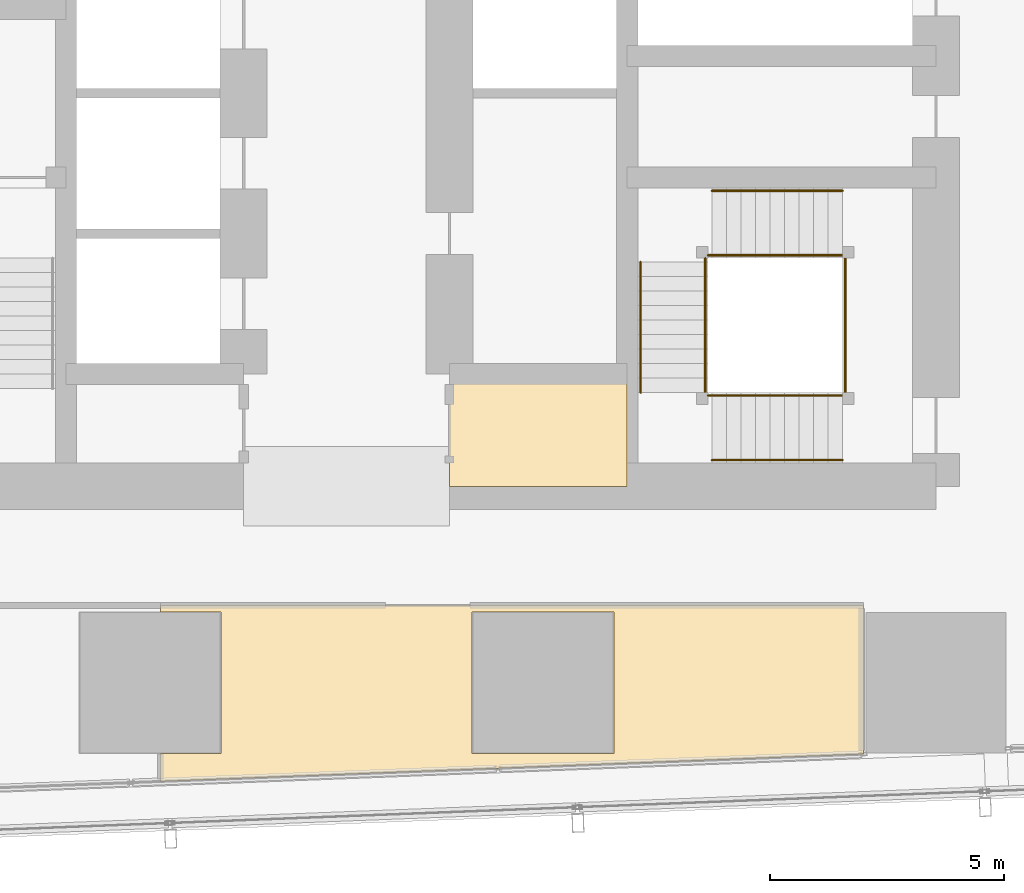
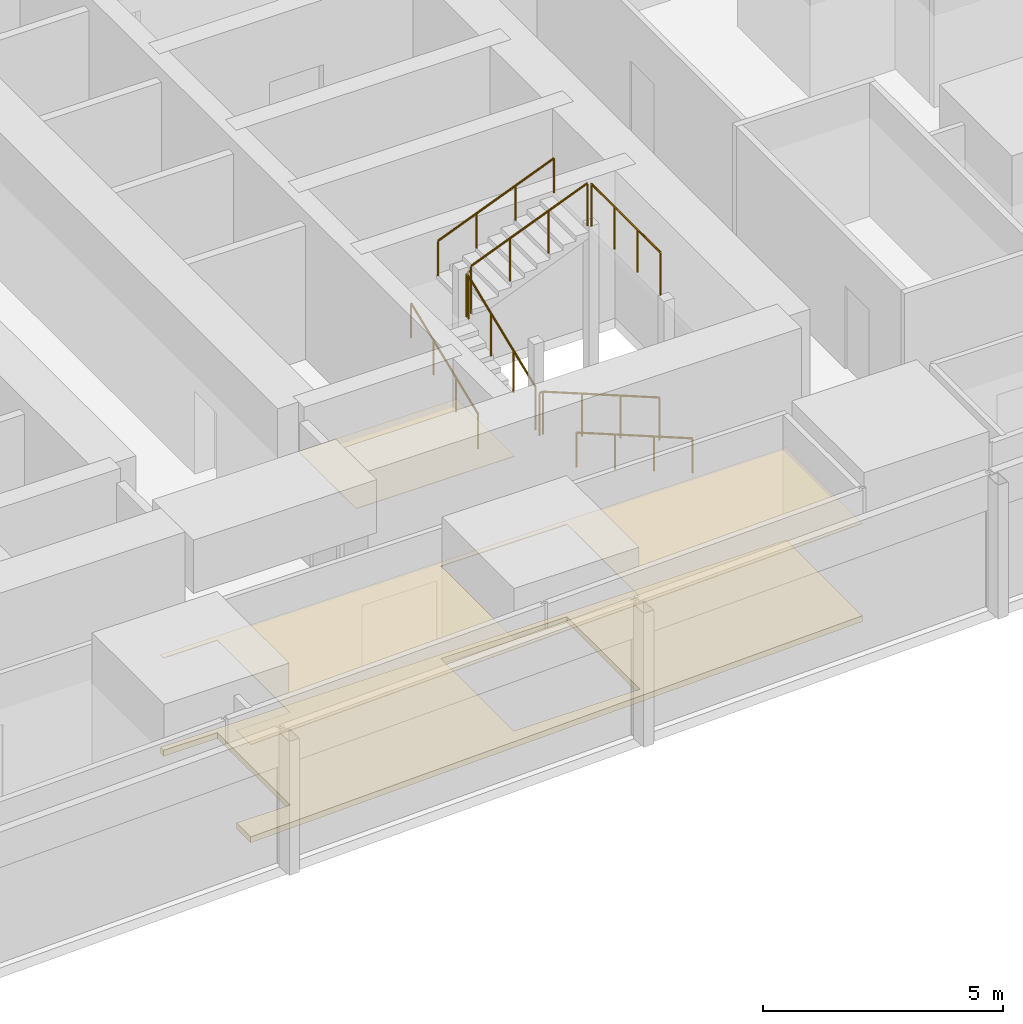
# One storey, part 35 of 38: 10 railings, 3 coverings.
"""IFC4 building model written with IfcOpenShell, lengths in metres."""

from ifc_helpers import new_model, si_unit, direction, frame, origin, origin_2d, place, context, subcontext, project, spatial, polyline, circle, outline, extrude, material, layer, layer_set, type_object, element, save


model = new_model("IFC4")

# Units and contexts
model_context = context("Model", 3, precision=1e-05, world=origin(), true_north=direction((0.0, 1.0)))
body_context = subcontext(model_context, "Body", "Model", "MODEL_VIEW")
ifc_project = project(units=[si_unit("LENGTHUNIT", "METRE"), si_unit("AREAUNIT", "SQUARE_METRE"), si_unit("VOLUMEUNIT", "CUBIC_METRE"), si_unit("PLANEANGLEUNIT", "RADIAN"), si_unit("MASSUNIT", "GRAM", prefix="KILO")], contexts=[model_context])

# Site, building, storey
site_placement = place(None, origin())
site = spatial("IfcSite", under=ifc_project, at=site_placement, CompositionType="ELEMENT")
building_placement = place(site_placement, origin())
building = spatial("IfcBuilding", under=site, at=building_placement, Name="Rekha Terrace Tower", CompositionType="ELEMENT")
storey_placement = place(building_placement, frame((0.0, 0.0, 159.050048828125)))
storey = spatial("IfcBuildingStorey", under=building, at=storey_placement, Name="L40", CompositionType="ELEMENT", Elevation=159.050048828125)

# Coverings
ifc_material_1 = material(Name="Mineral fibre tile in exposed grid", Category="finish")
ifc_layer_1 = layer(ifc_material_1, 0.02001953125)
ifc_layer_set_1 = layer_set([ifc_layer_1], Name="Mineral fibre tile in exposed grid")
covering_type_1 = type_object("IfcCoveringType", Name="CL1 600x1200 office grid ceiling", PredefinedType="CEILING", material=ifc_layer_set_1)
covering_1_placement = place(storey_placement, frame((0.0, 0.0, 2.47998046875)))
element("IfcCovering", 1, at=covering_1_placement, inside=storey, type_object=covering_type_1, Name="Ceiling L40-17", PredefinedType="CEILING", context=body_context, shape_type="SweptSolid", body=[
    extrude(outline(polyline([(35.114990234375, 15.284912109375), (33.825927734375, 15.284912109375), (33.825927734375, 14.69189453125), (40.39990234375, 14.947998046875), (48.847900390625, 15.277099609375), (48.847900390625, 18.449951171875), (33.825927734375, 18.449951171875), (33.825927734375, 18.31494140625), (35.114990234375, 18.31494140625), (35.114990234375, 15.284912109375)]), holes=[polyline([(43.514892578125, 18.31494140625), (43.514892578125, 15.284912109375), (40.485107421875, 15.284912109375), (40.485107421875, 18.31494140625), (43.514892578125, 18.31494140625)])]), origin(), (0.0, 0.0, 1.0), 0.02001953125),
])
ifc_material_2 = material(Name="Fibre cement board", Category="finish")
ifc_layer_2 = layer(ifc_material_2, 0.014892578125)
ifc_layer_set_2 = layer_set([ifc_layer_2], Name="Fibre cement board")
covering_type_2 = type_object("IfcCoveringType", Name="CL2 moisture-resistant board ceiling", PredefinedType="CEILING", material=ifc_layer_set_2)
covering_2_placement = place(storey_placement, frame((0.0, 0.0, 2.48486328125)))
element("IfcCovering", 2, at=covering_2_placement, inside=storey, type_object=covering_type_2, Name="Ceiling L40-WCA", PredefinedType="CEILING", context=body_context, shape_type="SweptSolid", body=[
    extrude(outline(polyline([(43.800048828125, 23.39990234375), (40.0, 23.39990234375), (40.0, 21.0), (43.800048828125, 21.0), (43.800048828125, 23.39990234375)])), origin(), (0.0, 0.0, 1.0), 0.01513671875),
])

# Railings
ifc_material_3 = material(Name="Stainless steel balustrade", Category="steel")
railing_type_1 = type_object("IfcRailingType", Name="GR1 1100 stair guard", PredefinedType="GUARDRAIL", material=ifc_material_3)
railing_1_placement = place(storey_placement, frame((48.39990234375, 22.93994140625, 0.125)))
element("IfcRailing", 3, at=railing_1_placement, inside=storey, type_object=railing_type_1, Name="Guard ST3 L40 flight 1", PredefinedType="GUARDRAIL", context=body_context, shape_type="SweptSolid", body=[
    extrude(circle(Radius=0.02392578125, at=origin_2d()), frame((0.0, 0.0, 1.076171875), z_axis=(-0.927431937212, 0.0, 0.373991980981), x_axis=(0.0, -1.0, 0.0)), (0.0, 0.0, 1.0), 3.008056640625),
    extrude(circle(Radius=0.02099609375, at=origin_2d()), origin(), (0.0, 0.0, 1.0), 1.052001953125),
    extrude(circle(Radius=0.02099609375, at=origin_2d()), frame((-0.929931640625, 0.0, 0.375)), (0.0, 0.0, 1.0), 1.052001953125),
    extrude(circle(Radius=0.02099609375, at=origin_2d()), frame((-1.85986328125, 0.0, 0.75)), (0.0, 0.0, 1.0), 1.052001953125),
    extrude(circle(Radius=0.02099609375, at=origin_2d()), frame((-2.789794921875, 0.0, 1.125)), (0.0, 0.0, 1.0), 1.052001953125),
])
railing_2_placement = place(storey_placement, frame((45.465087890625, 23.0, 1.375)))
element("IfcRailing", 4, at=railing_2_placement, inside=storey, type_object=railing_type_1, Name="Guard ST3 L40 flight 2", PredefinedType="GUARDRAIL", context=body_context, shape_type="SweptSolid", body=[
    extrude(circle(Radius=0.02392578125, at=origin_2d()), frame((0.0, 0.0, 1.076171875), z_axis=(0.0, 0.927443287984, 0.373963831907), x_axis=(-1.0, 0.0, 0.0)), (0.0, 0.0, 1.0), 3.00830078125),
    extrude(circle(Radius=0.02099609375, at=origin_2d()), origin(), (0.0, 0.0, 1.0), 1.052001953125),
    extrude(circle(Radius=0.02099609375, at=origin_2d()), frame((0.0, 0.929931640625, 0.375)), (0.0, 0.0, 1.0), 1.052001953125),
    extrude(circle(Radius=0.02099609375, at=origin_2d()), frame((0.0, 1.860107421875, 0.75)), (0.0, 0.0, 1.0), 1.052001953125),
    extrude(circle(Radius=0.02099609375, at=origin_2d()), frame((0.0, 2.7900390625, 1.125)), (0.0, 0.0, 1.0), 1.052001953125),
])
railing_3_placement = place(storey_placement, frame((45.610107421875, 25.93505859375, 2.625)))
element("IfcRailing", 5, at=railing_3_placement, inside=storey, type_object=railing_type_1, Name="Guard ST3 L40 flight 3", PredefinedType="GUARDRAIL", context=body_context, shape_type="SweptSolid", body=[
    extrude(circle(Radius=0.02392578125, at=origin_2d()), frame((0.0, 0.0, 1.076171875), z_axis=(0.927431937212, 0.0, 0.373991980981), x_axis=(0.0, 1.0, 0.0)), (0.0, 0.0, 1.0), 3.008056640625),
    extrude(circle(Radius=0.02099609375, at=origin_2d()), origin(), (0.0, 0.0, 1.0), 1.052001953125),
    extrude(circle(Radius=0.02099609375, at=origin_2d()), frame((0.929931640625, 0.0, 0.375)), (0.0, 0.0, 1.0), 1.052001953125),
    extrude(circle(Radius=0.02099609375, at=origin_2d()), frame((1.85986328125, 0.0, 0.75)), (0.0, 0.0, 1.0), 1.052001953125),
    extrude(circle(Radius=0.02099609375, at=origin_2d()), frame((2.789794921875, 0.0, 1.125)), (0.0, 0.0, 1.0), 1.052001953125),
])
railing_4_placement = place(storey_placement, frame((45.610107421875, 22.93994140625, 1.25)))
element("IfcRailing", 6, at=railing_4_placement, inside=storey, type_object=railing_type_1, Name="Guard ST3 L40 landing 1", PredefinedType="GUARDRAIL", context=body_context, shape_type="SweptSolid", body=[
    extrude(circle(Radius=0.02392578125, at=origin_2d()), frame((0.0, 0.0, 1.076171875), z_axis=(-1.0, 0.0, 0.0), x_axis=(0.0, -1.0, 0.0)), (0.0, 0.0, 1.0), 0.085205078125),
    extrude(circle(Radius=0.02099609375, at=origin_2d()), origin(), (0.0, 0.0, 1.0), 1.052001953125),
    extrude(circle(Radius=0.02099609375, at=origin_2d()), frame((-0.085205078125, 0.0, 0.0)), (0.0, 0.0, 1.0), 1.052001953125),
])
railing_5_placement = place(storey_placement, frame((45.465087890625, 25.7900390625, 2.5)))
element("IfcRailing", 7, at=railing_5_placement, inside=storey, type_object=railing_type_1, Name="Guard ST3 L40 landing 2", PredefinedType="GUARDRAIL", context=body_context, shape_type="SweptSolid", body=[
    extrude(circle(Radius=0.02392578125, at=origin_2d()), frame((0.0, 0.0, 1.076171875), z_axis=(0.0, 1.0, 0.0), x_axis=(-1.0, 0.0, 0.0)), (0.0, 0.0, 1.0), 0.0849609375),
    extrude(circle(Radius=0.02099609375, at=origin_2d()), origin(), (0.0, 0.0, 1.0), 1.052001953125),
    extrude(circle(Radius=0.02099609375, at=origin_2d()), frame((0.0, 0.0849609375, 0.0)), (0.0, 0.0, 1.0), 1.052001953125),
])
railing_6_placement = place(storey_placement, frame((45.610107421875, 25.93505859375, 2.5)))
element("IfcRailing", 8, at=railing_6_placement, inside=storey, type_object=railing_type_1, Name="Guard ST3 L40 landing 3", PredefinedType="GUARDRAIL", context=body_context, shape_type="SweptSolid", body=[
    extrude(circle(Radius=0.02392578125, at=origin_2d()), frame((0.0, 0.0, 1.076171875), z_axis=(-1.0, 0.0, 0.0), x_axis=(0.0, -1.0, 0.0)), (0.0, 0.0, 1.0), 0.085205078125),
    extrude(circle(Radius=0.02099609375, at=origin_2d()), origin(), (0.0, 0.0, 1.0), 1.052001953125),
    extrude(circle(Radius=0.02099609375, at=origin_2d()), frame((-0.085205078125, 0.0, 0.0)), (0.0, 0.0, 1.0), 1.052001953125),
])
railing_7_placement = place(storey_placement, frame((48.4599609375, 23.0, 3.75)))
element("IfcRailing", 9, at=railing_7_placement, inside=storey, type_object=railing_type_1, Name="Guard ST3 L40 landing 4", PredefinedType="GUARDRAIL", context=body_context, shape_type="SweptSolid", body=[
    extrude(circle(Radius=0.02392578125, at=origin_2d()), frame((0.0, 0.0, 1.076171875), z_axis=(0.0, 1.0, 0.0), x_axis=(-1.0, 0.0, 0.0)), (0.0, 0.0, 1.0), 2.875),
    extrude(circle(Radius=0.02099609375, at=origin_2d()), origin(), (0.0, 0.0, 1.0), 1.052001953125),
    extrude(circle(Radius=0.02099609375, at=origin_2d()), frame((0.0, 0.958251953125, 0.0)), (0.0, 0.0, 1.0), 1.052001953125),
    extrude(circle(Radius=0.02099609375, at=origin_2d()), frame((0.0, 1.916748046875, 0.0)), (0.0, 0.0, 1.0), 1.052001953125),
    extrude(circle(Radius=0.02099609375, at=origin_2d()), frame((0.0, 2.875, 0.0)), (0.0, 0.0, 1.0), 1.052001953125),
])
ifc_material_4 = material(Name="Stainless steel tube", Category="steel")
railing_type_2 = type_object("IfcRailingType", Name="HR1 900 stair handrail", PredefinedType="HANDRAIL", material=ifc_material_4)
railing_8_placement = place(storey_placement, frame((48.39990234375, 21.56005859375, 0.125)))
element("IfcRailing", 10, at=railing_8_placement, inside=storey, type_object=railing_type_2, Name="Handrail ST3 L40 flight 1", PredefinedType="HANDRAIL", context=body_context, shape_type="SweptSolid", body=[
    extrude(circle(Radius=0.02392578125, at=origin_2d()), frame((0.0, 0.0, 0.8759765625), z_axis=(-0.927431937212, 0.0, 0.373991980981), x_axis=(0.0, -1.0, 0.0)), (0.0, 0.0, 1.0), 3.008056640625),
    extrude(circle(Radius=0.02099609375, at=origin_2d()), origin(), (0.0, 0.0, 1.0), 0.851806640625),
    extrude(circle(Radius=0.02099609375, at=origin_2d()), frame((-0.929931640625, 0.0, 0.375)), (0.0, 0.0, 1.0), 0.851806640625),
    extrude(circle(Radius=0.02099609375, at=origin_2d()), frame((-1.85986328125, 0.0, 0.75)), (0.0, 0.0, 1.0), 0.851806640625),
    extrude(circle(Radius=0.02099609375, at=origin_2d()), frame((-2.789794921875, 0.0, 1.125)), (0.0, 0.0, 1.0), 0.851806640625),
])
railing_9_placement = place(storey_placement, frame((44.0849609375, 23.0, 1.375)))
element("IfcRailing", 11, at=railing_9_placement, inside=storey, type_object=railing_type_2, Name="Handrail ST3 L40 flight 2", PredefinedType="HANDRAIL", context=body_context, shape_type="SweptSolid", body=[
    extrude(circle(Radius=0.02392578125, at=origin_2d()), frame((0.0, 0.0, 0.8759765625), z_axis=(0.0, 0.927443287984, 0.373963831907), x_axis=(-1.0, 0.0, 0.0)), (0.0, 0.0, 1.0), 3.00830078125),
    extrude(circle(Radius=0.02099609375, at=origin_2d()), origin(), (0.0, 0.0, 1.0), 0.851806640625),
    extrude(circle(Radius=0.02099609375, at=origin_2d()), frame((0.0, 0.929931640625, 0.375)), (0.0, 0.0, 1.0), 0.851806640625),
    extrude(circle(Radius=0.02099609375, at=origin_2d()), frame((0.0, 1.860107421875, 0.75)), (0.0, 0.0, 1.0), 0.851806640625),
    extrude(circle(Radius=0.02099609375, at=origin_2d()), frame((0.0, 2.7900390625, 1.125)), (0.0, 0.0, 1.0), 0.851806640625),
])
railing_10_placement = place(storey_placement, frame((45.610107421875, 27.31494140625, 2.625)))
element("IfcRailing", 12, at=railing_10_placement, inside=storey, type_object=railing_type_2, Name="Handrail ST3 L40 flight 3", PredefinedType="HANDRAIL", context=body_context, shape_type="SweptSolid", body=[
    extrude(circle(Radius=0.02392578125, at=origin_2d()), frame((0.0, 0.0, 0.8759765625), z_axis=(0.927431937212, 0.0, 0.373991980981), x_axis=(0.0, 1.0, 0.0)), (0.0, 0.0, 1.0), 3.008056640625),
    extrude(circle(Radius=0.02099609375, at=origin_2d()), origin(), (0.0, 0.0, 1.0), 0.851806640625),
    extrude(circle(Radius=0.02099609375, at=origin_2d()), frame((0.929931640625, 0.0, 0.375)), (0.0, 0.0, 1.0), 0.851806640625),
    extrude(circle(Radius=0.02099609375, at=origin_2d()), frame((1.85986328125, 0.0, 0.75)), (0.0, 0.0, 1.0), 0.851806640625),
    extrude(circle(Radius=0.02099609375, at=origin_2d()), frame((2.789794921875, 0.0, 1.125)), (0.0, 0.0, 1.0), 0.851806640625),
])

# Covering
ifc_material_5 = material(Name="Calcium sulphate panels on steel pedestals", Category="steel")
ifc_layer_3 = layer(ifc_material_5, 0.14990234375)
ifc_layer_set_3 = layer_set([ifc_layer_3], Name="Calcium sulphate panels on steel pedestals")
covering_type_3 = type_object("IfcCoveringType", Name="RF1 150 raised access floor", PredefinedType="FLOORING", material=ifc_layer_set_3)
covering_3_placement = place(storey_placement, origin())
element("IfcCovering", 13, at=covering_3_placement, inside=storey, type_object=covering_type_3, Name="Raised floor L40-17", PredefinedType="FLOORING", context=body_context, shape_type="SweptSolid", body=[
    extrude(outline(polyline([(35.114990234375, 15.284912109375), (33.825927734375, 15.284912109375), (33.825927734375, 14.69189453125), (40.39990234375, 14.947998046875), (48.847900390625, 15.277099609375), (48.847900390625, 18.449951171875), (33.825927734375, 18.449951171875), (33.825927734375, 18.31494140625), (35.114990234375, 18.31494140625), (35.114990234375, 15.284912109375)]), holes=[polyline([(43.514892578125, 18.31494140625), (43.514892578125, 15.284912109375), (40.485107421875, 15.284912109375), (40.485107421875, 18.31494140625), (43.514892578125, 18.31494140625)])]), origin(), (0.0, 0.0, 1.0), 0.14990234375),
])

save(model, "model.ifc")
